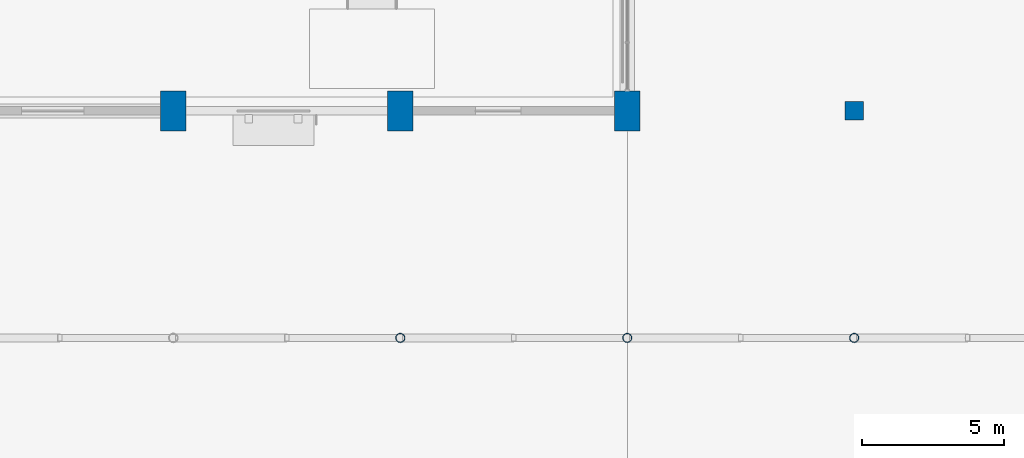
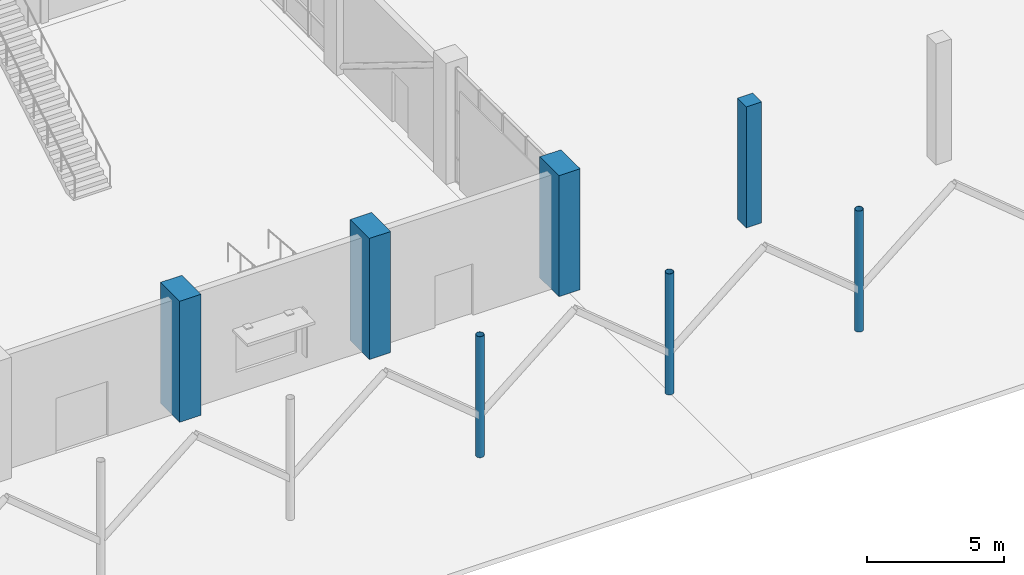
# One storey, part 3 of 123: 7 columns.
"""IFC4 building model written with IfcOpenShell, lengths in metres."""

import ifcopenshell
import ifcopenshell.guid

model = None  # the IFC model being written
_history = None  # IfcOwnerHistory: only IFC2X3 demands one
_inside = {}  # id of a spatial element -> (the spatial element, [elements in it])
_under = {}  # id of a project, library or spatial element -> (it, [spatial elements below it])
_declared = {}  # id of a project -> (the project, [libraries it declares])
_typed = {}  # id of a type object -> (the type object, [elements of that type])
_made_of = {}  # id of a material, layer set ... -> (it, [elements and type objects made of it])


def new_model(schema):
    """Start an empty IFC model of exactly this schema.

    Asked for "IFC4X3", IfcOpenShell would pick the latest addendum, in which some entities
    have other attributes; the version numbers below select the first issue.
    IFC2X3 requires an IfcOwnerHistory on every rooted entity: one is made here for all.
    """
    global model, _history
    if schema == "IFC4X3":
        model = ifcopenshell.file(schema_version=(4, 3, 0, 0))
    else:
        model = ifcopenshell.file(schema=schema)
    _inside.clear()
    _under.clear()
    _declared.clear()
    _typed.clear()
    _made_of.clear()
    _history = None
    if model.schema == "IFC2X3":
        org = make("IfcOrganization", Name="unknown")
        user = make(
            "IfcPersonAndOrganization",
            ThePerson=make("IfcPerson", FamilyName="unknown"),
            TheOrganization=org,
        )
        app = make(
            "IfcApplication",
            ApplicationDeveloper=org,
            Version="unknown",
            ApplicationFullName="unknown",
            ApplicationIdentifier="unknown",
        )
        _history = make(
            "IfcOwnerHistory",
            OwningUser=user,
            OwningApplication=app,
            ChangeAction="ADDED",
            CreationDate=0,
        )
    return model


def make(cls, **values):
    """One entity of the class cls with the attributes given. An attribute that is None is left unset."""
    return model.create_entity(
        cls, **{name: value for name, value in values.items() if value is not None}
    )


def rooted(cls, **values):
    """An entity with a GlobalId (a new one), such as an element, a storey or a relation."""
    return make(cls, GlobalId=ifcopenshell.guid.new(), OwnerHistory=_history, **values)


def si_unit(unit_type, name, prefix=None):
    """IfcSIUnit, for example si_unit("LENGTHUNIT", "METRE", prefix="MILLI")."""
    return make("IfcSIUnit", UnitType=unit_type, Prefix=prefix, Name=name)


def assignment(units):
    """IfcUnitAssignment: the units of a project."""
    return None if units is None else make("IfcUnitAssignment", Units=units)


def point(xyz):
    """IfcCartesianPoint."""
    return None if xyz is None else make("IfcCartesianPoint", Coordinates=xyz)


def direction(xyz):
    """IfcDirection."""
    return None if xyz is None else make("IfcDirection", DirectionRatios=xyz)


def frame(location, z_axis=None, x_axis=None):
    """IfcAxis2Placement3D, a coordinate frame: its origin and axes. An axis left out is left unset."""
    return make(
        "IfcAxis2Placement3D",
        Location=point(location),
        Axis=direction(z_axis),
        RefDirection=direction(x_axis),
    )


def frame_2d(location, x_axis=None):
    """IfcAxis2Placement2D, a coordinate frame in the plane: its origin and x axis."""
    return make(
        "IfcAxis2Placement2D", Location=point(location), RefDirection=direction(x_axis)
    )


def origin():
    """The frame at (0, 0, 0) with its axes left unset."""
    return frame((0.0, 0.0, 0.0))


def origin_2d():
    """The frame at (0, 0) in the plane with its x axis left unset."""
    return frame_2d((0.0, 0.0))


def place(relative_to, where):
    """IfcLocalPlacement: puts the frame where relative to a parent placement (None: the world)."""
    return make(
        "IfcLocalPlacement", PlacementRelTo=relative_to, RelativePlacement=where
    )


def context(
    kind, dimensions, precision=None, world=None, true_north=None, identifier=None
):
    """IfcGeometricRepresentationContext, for example the 3D "Model" context."""
    return make(
        "IfcGeometricRepresentationContext",
        ContextIdentifier=identifier,
        ContextType=kind,
        CoordinateSpaceDimension=dimensions,
        Precision=precision,
        WorldCoordinateSystem=world,
        TrueNorth=true_north,
    )


def subcontext(parent, identifier, kind, view, scale=None):
    """IfcGeometricRepresentationSubContext, for example "Body" below "Model"."""
    return make(
        "IfcGeometricRepresentationSubContext",
        ContextIdentifier=identifier,
        ContextType=kind,
        ParentContext=parent,
        TargetScale=scale,
        TargetView=view,
    )


def project(units=None, contexts=None):
    """IfcProject with its units and contexts."""
    return rooted(
        "IfcProject",
        Name="project",
        RepresentationContexts=contexts,
        UnitsInContext=assignment(units),
    )


def spatial(cls, under=None, at=None, **own):
    """A site, building, storey or space (cls), placed at a placement, below another one or the project."""
    s = rooted(cls, ObjectPlacement=at, **own)
    if under is not None:
        _under.setdefault(under.id(), (under, []))[1].append(s)
    return s


def profile(cls, at=None, kind="AREA", **sizes):
    """A parametric profile (cls). Its sizes go by their IFC names, for example OverallWidth=200.0."""
    return make(cls, ProfileType=kind, Position=at, **sizes)


def rectangle(**sizes):
    """IfcRectangleProfileDef."""
    return profile("IfcRectangleProfileDef", **sizes)


def hollow_circle(**sizes):
    """IfcCircleHollowProfileDef."""
    return profile("IfcCircleHollowProfileDef", **sizes)


def extrude(swept, where, along, depth):
    """IfcExtrudedAreaSolid: the profile swept, set in the frame where, extruded along a direction by depth."""
    return make(
        "IfcExtrudedAreaSolid",
        SweptArea=swept,
        Position=where,
        ExtrudedDirection=direction(along),
        Depth=depth,
    )


def shape(context_of_items, identifier, shape_type, items):
    """IfcShapeRepresentation: the items that make up one representation, for example the "Body"."""
    return make(
        "IfcShapeRepresentation",
        ContextOfItems=context_of_items,
        RepresentationIdentifier=identifier,
        RepresentationType=shape_type,
        Items=items,
    )


def material(Name=None, Category=None):
    """IfcMaterial."""
    return make("IfcMaterial", Name=Name, Category=Category)


def material_profile(
    of_material, cross_section, Name=None, Category=None, Priority=None
):
    """IfcMaterialProfile: a cross section and its material."""
    return make(
        "IfcMaterialProfile",
        Name=Name,
        Material=of_material,
        Profile=cross_section,
        Priority=Priority,
        Category=Category,
    )


def profile_set(profiles, Name=None, composite=None):
    """IfcMaterialProfileSet."""
    return make(
        "IfcMaterialProfileSet",
        Name=Name,
        MaterialProfiles=profiles,
        CompositeProfile=composite,
    )


def made_of(thing, what):
    """Note that an element or type object is made of a material, layer set ...; save() writes the relation."""
    if what is not None:
        _made_of.setdefault(what.id(), (what, []))[1].append(thing)
    return thing


def type_object(cls, material=None, **own):
    """A type object (cls), such as IfcWallType, which elements share."""
    return made_of(rooted(cls, **own), material)


def element(
    cls,
    number,
    at=None,
    inside=None,
    cuts=None,
    type_object=None,
    material=None,
    context=None,
    identifier="Body",
    shape_type=None,
    held_by="IfcProductDefinitionShape",
    body=None,
    shapes=None,
    **own,
):
    """One element of the class cls, such as IfcWall. Its Tag is "e" and its number.

    at: its placement. inside: the storey or other place that contains it. cuts: it is an
    opening in that element (IfcRelVoidsElement). A single representation is given by context,
    identifier, shape_type and body (its items); several are given by shapes. held_by: the class
    of the entity that holds the representations. save() writes the other relations.
    """
    e = rooted(cls, Tag="e%d" % number, ObjectPlacement=at, **own)
    if body is not None:
        shapes = [shape(context, identifier, shape_type, body)]
    if shapes is not None:
        e.Representation = make(held_by, Representations=shapes)
    if inside is not None:
        _inside.setdefault(inside.id(), (inside, []))[1].append(e)
    if cuts is not None:
        rooted(
            "IfcRelVoidsElement", RelatingBuildingElement=cuts, RelatedOpeningElement=e
        )
    if type_object is not None:
        _typed.setdefault(type_object.id(), (type_object, []))[1].append(e)
    return made_of(e, material)


def aggregate(whole, parts):
    """IfcRelAggregates: a whole, such as a stair, and the parts it consists of."""
    return rooted("IfcRelAggregates", RelatingObject=whole, RelatedObjects=parts)


def save(model, path):
    """Write the relations noted so far, then the file.

    IfcRelAggregates (storeys below a building ...), IfcRelContainedInSpatialStructure (elements
    in a storey), IfcRelDefinesByType, IfcRelAssociatesMaterial and IfcRelDeclares: one each for
    every whole, place, type object, material and project.
    """
    for whole, parts in _under.values():
        aggregate(whole, parts)
    for where, things in _inside.values():
        rooted(
            "IfcRelContainedInSpatialStructure",
            RelatedElements=things,
            RelatingStructure=where,
        )
    for kind, things in _typed.values():
        rooted("IfcRelDefinesByType", RelatedObjects=things, RelatingType=kind)
    for what, things in _made_of.values():
        rooted("IfcRelAssociatesMaterial", RelatedObjects=things, RelatingMaterial=what)
    for by, libraries in _declared.values():
        rooted("IfcRelDeclares", RelatingContext=by, RelatedDefinitions=libraries)
    model.write(path)


model = new_model("IFC4")

# Units and contexts
model_context = context("Model", 3, precision=1e-05, world=origin(), true_north=direction((0.0, 1.0)))
body_context = subcontext(model_context, "Body", "Model", "MODEL_VIEW")
ifc_project = project(units=[si_unit("LENGTHUNIT", "METRE"), si_unit("AREAUNIT", "SQUARE_METRE"), si_unit("VOLUMEUNIT", "CUBIC_METRE"), si_unit("PLANEANGLEUNIT", "RADIAN"), si_unit("MASSUNIT", "GRAM", prefix="KILO")], contexts=[model_context])

# Site, building, storey
site_placement = place(None, origin())
site = spatial("IfcSite", under=ifc_project, at=site_placement, CompositionType="ELEMENT")
building_placement = place(site_placement, origin())
building = spatial("IfcBuilding", under=site, at=building_placement, Name="Tenunan Teduh Sports Hall", CompositionType="ELEMENT")
storey_placement = place(building_placement, origin())
storey = spatial("IfcBuildingStorey", under=building, at=storey_placement, Name="L00", CompositionType="ELEMENT", Elevation=0.0)

# Columns
ifc_material_1 = material(Name="Concrete C40/50", Category="concrete")
ifc_material_profile_1 = material_profile(ifc_material_1, rectangle(XDim=0.64990234375, YDim=0.64990234375, at=origin_2d()), Name="RC 650x650")
ifc_profile_set_1 = profile_set([ifc_material_profile_1], Name="Concrete C40/50")
column_type_1 = type_object("IfcColumnType", Name="COL-RC-650", PredefinedType="COLUMN", material=ifc_profile_set_1)
column_placement = place(storey_placement, frame((62.0, 14.0, 0.0), z_axis=(0.0, 0.0, 1.0), x_axis=(1.0, 0.0, 0.0)))
element("IfcColumn", 1, at=column_placement, inside=storey, type_object=column_type_1, Name="COL-C-08-L00-086", PredefinedType="COLUMN", context=body_context, shape_type="SweptSolid", body=[
    extrude(rectangle(XDim=0.64990234375, YDim=0.64990234375, at=origin_2d()), origin(), (0.0, 0.0, 1.0), 5.39990234375),
])
ifc_material_2 = material(Name="Concrete C40/50", Category="concrete")
ifc_material_profile_2 = material_profile(ifc_material_2, rectangle(XDim=0.89990234375, YDim=1.39990234375, at=origin_2d()), Name="RC 900x1400")
ifc_profile_set_2 = profile_set([ifc_material_profile_2], Name="Concrete C40/50")
column_type_2 = type_object("IfcColumnType", Name="COL-RC-900x1400", PredefinedType="COLUMN", material=ifc_profile_set_2)
for number, where, z_axis, x_axis, name in (
    (2, (38.0, 14.0, 0.0), (0.0, 0.0, 1.0), (1.0, 0.0, 0.0), "COL-C-13-L00-052"),
    (3, (46.0, 14.0, 0.0), (0.0, 0.0, 1.0), (1.0, 0.0, 0.0), "COL-C-13-L00-062"),
    (4, (54.0, 14.0, 0.0), (0.0, 0.0, 1.0), (1.0, 0.0, 0.0), "COL-C-13-L00-072"),
):
    element("IfcColumn", number, at=place(storey_placement, frame(where, z_axis=z_axis, x_axis=x_axis)), inside=storey, type_object=column_type_2, Name=name, PredefinedType="COLUMN", context=body_context, shape_type="SweptSolid", body=[
        extrude(rectangle(XDim=0.89990234375, YDim=1.39990234375, at=origin_2d()), origin(), (0.0, 0.0, 1.0), 5.39990234375),
    ])
ifc_material_3 = material(Name="Steel S355", Category="steel")
ifc_material_profile_3 = material_profile(ifc_material_3, hollow_circle(Radius=0.161865234375, WallThickness=0.012451171875, at=origin_2d()), Name="CHS 323.9x12.5")
ifc_profile_set_3 = profile_set([ifc_material_profile_3], Name="Steel S355")
column_type_3 = type_object("IfcColumnType", Name="COL-ST-CHS324", PredefinedType="COLUMN", material=ifc_profile_set_3)
for number, where, z_axis, x_axis, name in (
    (5, (46.0, 6.0, 0.0), (0.0, 0.0, 1.0), (1.0, 0.0, 0.0), "COL-SC-06-L00-061"),
    (6, (54.0, 6.0, 0.0), (0.0, 0.0, 1.0), (1.0, 0.0, 0.0), "COL-SC-06-L00-071"),
    (7, (62.0, 6.0, 0.0), (0.0, 0.0, 1.0), (1.0, 0.0, 0.0), "COL-SC-06-L00-085"),
):
    element("IfcColumn", number, at=place(storey_placement, frame(where, z_axis=z_axis, x_axis=x_axis)), inside=storey, type_object=column_type_3, Name=name, PredefinedType="COLUMN", context=body_context, shape_type="SweptSolid", body=[
        extrude(hollow_circle(Radius=0.161865234375, WallThickness=0.012451171875, at=origin_2d()), origin(), (0.0, 0.0, 1.0), 5.39990234375),
    ])

save(model, "model.ifc")
